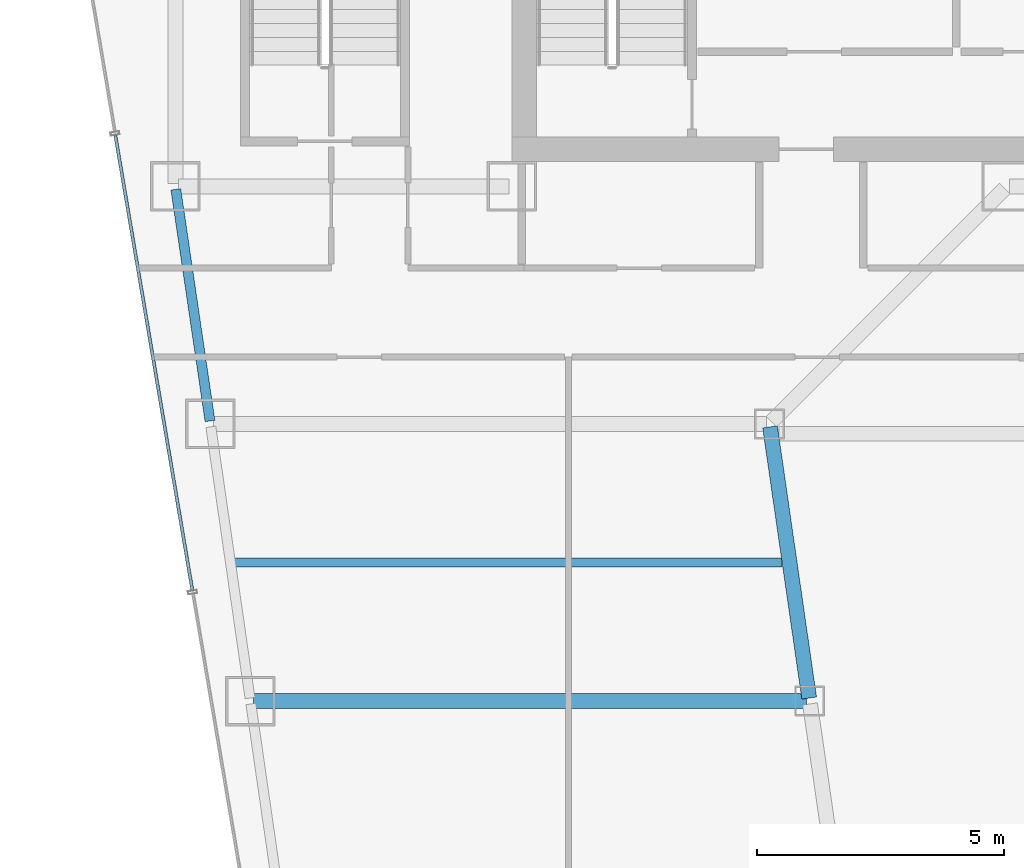
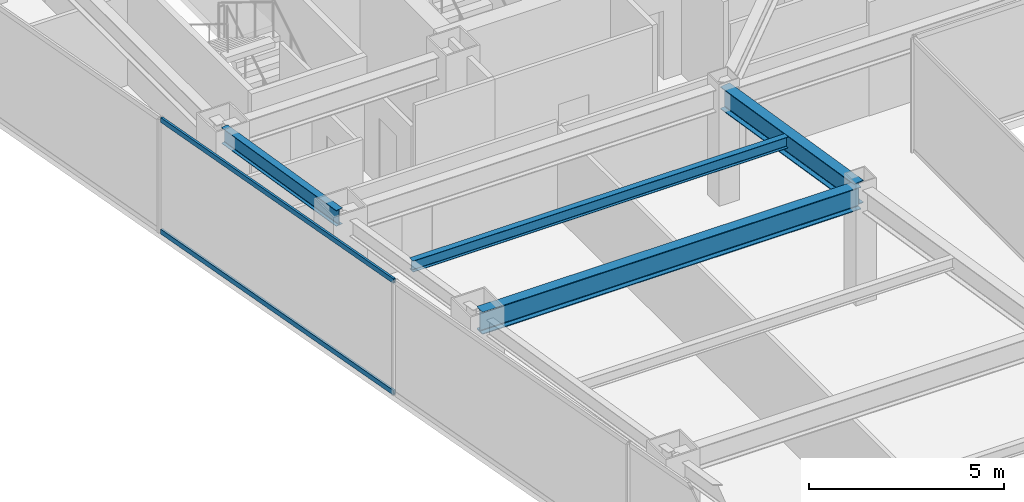
# One storey, part 9 of 35: 4 beams, 2 members, 1 element without a shape of its own.
"""IFC4 building model written with IfcOpenShell, lengths in metres."""

import ifcopenshell
import ifcopenshell.guid

model = None  # the IFC model being written
_history = None  # IfcOwnerHistory: only IFC2X3 demands one
_inside = {}  # id of a spatial element -> (the spatial element, [elements in it])
_under = {}  # id of a project, library or spatial element -> (it, [spatial elements below it])
_declared = {}  # id of a project -> (the project, [libraries it declares])
_typed = {}  # id of a type object -> (the type object, [elements of that type])
_made_of = {}  # id of a material, layer set ... -> (it, [elements and type objects made of it])


def new_model(schema):
    """Start an empty IFC model of exactly this schema.

    Asked for "IFC4X3", IfcOpenShell would pick the latest addendum, in which some entities
    have other attributes; the version numbers below select the first issue.
    IFC2X3 requires an IfcOwnerHistory on every rooted entity: one is made here for all.
    """
    global model, _history
    if schema == "IFC4X3":
        model = ifcopenshell.file(schema_version=(4, 3, 0, 0))
    else:
        model = ifcopenshell.file(schema=schema)
    _inside.clear()
    _under.clear()
    _declared.clear()
    _typed.clear()
    _made_of.clear()
    _history = None
    if model.schema == "IFC2X3":
        org = make("IfcOrganization", Name="unknown")
        user = make(
            "IfcPersonAndOrganization",
            ThePerson=make("IfcPerson", FamilyName="unknown"),
            TheOrganization=org,
        )
        app = make(
            "IfcApplication",
            ApplicationDeveloper=org,
            Version="unknown",
            ApplicationFullName="unknown",
            ApplicationIdentifier="unknown",
        )
        _history = make(
            "IfcOwnerHistory",
            OwningUser=user,
            OwningApplication=app,
            ChangeAction="ADDED",
            CreationDate=0,
        )
    return model


def make(cls, **values):
    """One entity of the class cls with the attributes given. An attribute that is None is left unset."""
    return model.create_entity(
        cls, **{name: value for name, value in values.items() if value is not None}
    )


def rooted(cls, **values):
    """An entity with a GlobalId (a new one), such as an element, a storey or a relation."""
    return make(cls, GlobalId=ifcopenshell.guid.new(), OwnerHistory=_history, **values)


def si_unit(unit_type, name, prefix=None):
    """IfcSIUnit, for example si_unit("LENGTHUNIT", "METRE", prefix="MILLI")."""
    return make("IfcSIUnit", UnitType=unit_type, Prefix=prefix, Name=name)


def assignment(units):
    """IfcUnitAssignment: the units of a project."""
    return None if units is None else make("IfcUnitAssignment", Units=units)


def point(xyz):
    """IfcCartesianPoint."""
    return None if xyz is None else make("IfcCartesianPoint", Coordinates=xyz)


def direction(xyz):
    """IfcDirection."""
    return None if xyz is None else make("IfcDirection", DirectionRatios=xyz)


def frame(location, z_axis=None, x_axis=None):
    """IfcAxis2Placement3D, a coordinate frame: its origin and axes. An axis left out is left unset."""
    return make(
        "IfcAxis2Placement3D",
        Location=point(location),
        Axis=direction(z_axis),
        RefDirection=direction(x_axis),
    )


def frame_2d(location, x_axis=None):
    """IfcAxis2Placement2D, a coordinate frame in the plane: its origin and x axis."""
    return make(
        "IfcAxis2Placement2D", Location=point(location), RefDirection=direction(x_axis)
    )


def origin():
    """The frame at (0, 0, 0) with its axes left unset."""
    return frame((0.0, 0.0, 0.0))


def origin_2d():
    """The frame at (0, 0) in the plane with its x axis left unset."""
    return frame_2d((0.0, 0.0))


def place(relative_to, where):
    """IfcLocalPlacement: puts the frame where relative to a parent placement (None: the world)."""
    return make(
        "IfcLocalPlacement", PlacementRelTo=relative_to, RelativePlacement=where
    )


def context(
    kind, dimensions, precision=None, world=None, true_north=None, identifier=None
):
    """IfcGeometricRepresentationContext, for example the 3D "Model" context."""
    return make(
        "IfcGeometricRepresentationContext",
        ContextIdentifier=identifier,
        ContextType=kind,
        CoordinateSpaceDimension=dimensions,
        Precision=precision,
        WorldCoordinateSystem=world,
        TrueNorth=true_north,
    )


def subcontext(parent, identifier, kind, view, scale=None):
    """IfcGeometricRepresentationSubContext, for example "Body" below "Model"."""
    return make(
        "IfcGeometricRepresentationSubContext",
        ContextIdentifier=identifier,
        ContextType=kind,
        ParentContext=parent,
        TargetScale=scale,
        TargetView=view,
    )


def project(units=None, contexts=None):
    """IfcProject with its units and contexts."""
    return rooted(
        "IfcProject",
        Name="project",
        RepresentationContexts=contexts,
        UnitsInContext=assignment(units),
    )


def spatial(cls, under=None, at=None, **own):
    """A site, building, storey or space (cls), placed at a placement, below another one or the project."""
    s = rooted(cls, ObjectPlacement=at, **own)
    if under is not None:
        _under.setdefault(under.id(), (under, []))[1].append(s)
    return s


def profile(cls, at=None, kind="AREA", **sizes):
    """A parametric profile (cls). Its sizes go by their IFC names, for example OverallWidth=200.0."""
    return make(cls, ProfileType=kind, Position=at, **sizes)


def hollow_rectangle(**sizes):
    """IfcRectangleHollowProfileDef."""
    return profile("IfcRectangleHollowProfileDef", **sizes)


def i_section(**sizes):
    """IfcIShapeProfileDef."""
    return profile("IfcIShapeProfileDef", **sizes)


def extrude(swept, where, along, depth):
    """IfcExtrudedAreaSolid: the profile swept, set in the frame where, extruded along a direction by depth."""
    return make(
        "IfcExtrudedAreaSolid",
        SweptArea=swept,
        Position=where,
        ExtrudedDirection=direction(along),
        Depth=depth,
    )


def shape(context_of_items, identifier, shape_type, items):
    """IfcShapeRepresentation: the items that make up one representation, for example the "Body"."""
    return make(
        "IfcShapeRepresentation",
        ContextOfItems=context_of_items,
        RepresentationIdentifier=identifier,
        RepresentationType=shape_type,
        Items=items,
    )


def material(Name=None, Category=None):
    """IfcMaterial."""
    return make("IfcMaterial", Name=Name, Category=Category)


def material_profile(
    of_material, cross_section, Name=None, Category=None, Priority=None
):
    """IfcMaterialProfile: a cross section and its material."""
    return make(
        "IfcMaterialProfile",
        Name=Name,
        Material=of_material,
        Profile=cross_section,
        Priority=Priority,
        Category=Category,
    )


def profile_set(profiles, Name=None, composite=None):
    """IfcMaterialProfileSet."""
    return make(
        "IfcMaterialProfileSet",
        Name=Name,
        MaterialProfiles=profiles,
        CompositeProfile=composite,
    )


def made_of(thing, what):
    """Note that an element or type object is made of a material, layer set ...; save() writes the relation."""
    if what is not None:
        _made_of.setdefault(what.id(), (what, []))[1].append(thing)
    return thing


def type_object(cls, material=None, **own):
    """A type object (cls), such as IfcWallType, which elements share."""
    return made_of(rooted(cls, **own), material)


def element(
    cls,
    number,
    at=None,
    inside=None,
    cuts=None,
    type_object=None,
    material=None,
    context=None,
    identifier="Body",
    shape_type=None,
    held_by="IfcProductDefinitionShape",
    body=None,
    shapes=None,
    **own,
):
    """One element of the class cls, such as IfcWall. Its Tag is "e" and its number.

    at: its placement. inside: the storey or other place that contains it. cuts: it is an
    opening in that element (IfcRelVoidsElement). A single representation is given by context,
    identifier, shape_type and body (its items); several are given by shapes. held_by: the class
    of the entity that holds the representations. save() writes the other relations.
    """
    e = rooted(cls, Tag="e%d" % number, ObjectPlacement=at, **own)
    if body is not None:
        shapes = [shape(context, identifier, shape_type, body)]
    if shapes is not None:
        e.Representation = make(held_by, Representations=shapes)
    if inside is not None:
        _inside.setdefault(inside.id(), (inside, []))[1].append(e)
    if cuts is not None:
        rooted(
            "IfcRelVoidsElement", RelatingBuildingElement=cuts, RelatedOpeningElement=e
        )
    if type_object is not None:
        _typed.setdefault(type_object.id(), (type_object, []))[1].append(e)
    return made_of(e, material)


def aggregate(whole, parts):
    """IfcRelAggregates: a whole, such as a stair, and the parts it consists of."""
    return rooted("IfcRelAggregates", RelatingObject=whole, RelatedObjects=parts)


def save(model, path):
    """Write the relations noted so far, then the file.

    IfcRelAggregates (storeys below a building ...), IfcRelContainedInSpatialStructure (elements
    in a storey), IfcRelDefinesByType, IfcRelAssociatesMaterial and IfcRelDeclares: one each for
    every whole, place, type object, material and project.
    """
    for whole, parts in _under.values():
        aggregate(whole, parts)
    for where, things in _inside.values():
        rooted(
            "IfcRelContainedInSpatialStructure",
            RelatedElements=things,
            RelatingStructure=where,
        )
    for kind, things in _typed.values():
        rooted("IfcRelDefinesByType", RelatedObjects=things, RelatingType=kind)
    for what, things in _made_of.values():
        rooted("IfcRelAssociatesMaterial", RelatedObjects=things, RelatingMaterial=what)
    for by, libraries in _declared.values():
        rooted("IfcRelDeclares", RelatingContext=by, RelatedDefinitions=libraries)
    model.write(path)


model = new_model("IFC4")

# Units and contexts
model_context = context("Model", 3, precision=1e-05, world=origin(), true_north=direction((0.0, 1.0)))
body_context = subcontext(model_context, "Body", "Model", "MODEL_VIEW")
ifc_project = project(units=[si_unit("LENGTHUNIT", "METRE"), si_unit("AREAUNIT", "SQUARE_METRE"), si_unit("VOLUMEUNIT", "CUBIC_METRE"), si_unit("PLANEANGLEUNIT", "RADIAN"), si_unit("MASSUNIT", "GRAM", prefix="KILO")], contexts=[model_context])

# Site, building, storey
site_placement = place(None, origin())
site = spatial("IfcSite", under=ifc_project, at=site_placement, CompositionType="ELEMENT")
building_placement = place(site_placement, origin())
building = spatial("IfcBuilding", under=site, at=building_placement, Name="Saevonmaru Cultural Tower", CompositionType="ELEMENT")
storey_placement = place(building_placement, frame((0.0, 0.0, 175.199951171875)))
storey = spatial("IfcBuildingStorey", under=building, at=storey_placement, Name="L39", CompositionType="ELEMENT", Elevation=175.199951171875)

# Beams
ifc_material_1 = material(Name="Steel SM355", Category="steel")
ifc_material_profile_1 = material_profile(ifc_material_1, i_section(OverallWidth=0.300048828125, OverallDepth=0.699951171875, WebThickness=0.012939453125, FlangeThickness=0.02392578125, FilletRadius=0.02587890625, at=origin_2d()), Name="H-700x300x13x24")
ifc_profile_set_1 = profile_set([ifc_material_profile_1], Name="Steel SM355")
beam_type_1 = type_object("IfcBeamType", Name="BM-G-H700", PredefinedType="BEAM", material=ifc_profile_set_1)
beam_1_placement = place(storey_placement, frame((19.6083984375, 32.059326171875, 3.199951171875), z_axis=(-0.142964121327, 0.989727871697, 0.0), x_axis=(-0.989727871697, -0.142964121327, 0.0)))
element("IfcBeam", 1, at=beam_1_placement, inside=storey, type_object=beam_type_1, Name="L39 West Atrium Girder 3", PredefinedType="BEAM", context=body_context, shape_type="SweptSolid", body=[
    extrude(i_section(OverallWidth=0.300048828125, OverallDepth=0.699951171875, WebThickness=0.012939453125, FlangeThickness=0.02392578125, FilletRadius=0.02587890625, at=origin_2d()), origin(), (0.0, 0.0, 1.0), 5.5380859375),
])
beam_2_placement = place(storey_placement, frame((8.376953125, 32.0, 3.199951171875), z_axis=(1.0, 0.0, 0.0), x_axis=(0.0, 1.0, 0.0)))
element("IfcBeam", 2, at=beam_2_placement, inside=storey, type_object=beam_type_1, Name="L39 West Wing Transverse Girder 3", PredefinedType="BEAM", context=body_context, shape_type="SweptSolid", body=[
    extrude(i_section(OverallWidth=0.300048828125, OverallDepth=0.699951171875, WebThickness=0.012939453125, FlangeThickness=0.02392578125, FilletRadius=0.02587890625, at=origin_2d()), origin(), (0.0, 0.0, 1.0), 11.179931640625),
])
ifc_material_profile_2 = material_profile(ifc_material_1, i_section(OverallWidth=0.175048828125, OverallDepth=0.35009765625, WebThickness=0.007080078125, FlangeThickness=0.010986328125, FilletRadius=0.012939453125, at=origin_2d()), Name="H-350x175x7x11")
ifc_profile_set_2 = profile_set([ifc_material_profile_2], Name="Steel SM355")
beam_type_2 = type_object("IfcBeamType", Name="BM-J-H350", PredefinedType="JOIST", material=ifc_profile_set_2)
beam_3_placement = place(storey_placement, frame((7.972412109375, 34.800048828125, 3.375), z_axis=(1.0, 0.0, 0.0), x_axis=(0.0, 1.0, 0.0)))
element("IfcBeam", 3, at=beam_3_placement, inside=storey, type_object=beam_type_2, Name="L39 West Wing Floor Joist 3", PredefinedType="JOIST", context=body_context, shape_type="SweptSolid", body=[
    extrude(i_section(OverallWidth=0.175048828125, OverallDepth=0.35009765625, WebThickness=0.007080078125, FlangeThickness=0.010986328125, FilletRadius=0.012939453125, at=origin_2d()), origin(), (0.0, 0.0, 1.0), 11.08203125),
])
ifc_material_profile_3 = material_profile(ifc_material_1, i_section(OverallWidth=0.199951171875, OverallDepth=0.5, WebThickness=0.010009765625, FlangeThickness=0.01611328125, FilletRadius=0.02001953125, at=origin_2d()), Name="H-500x200x10x16")
ifc_profile_set_3 = profile_set([ifc_material_profile_3], Name="Steel SM355")
beam_type_3 = type_object("IfcBeamType", Name="BM-SP-H500", PredefinedType="SPANDREL", material=ifc_profile_set_3)
beam_4_placement = place(storey_placement, frame((7.499267578125, 37.659423828125, 3.300048828125), z_axis=(-0.145912860028, 0.989297446312, 0.0), x_axis=(-0.989297446312, -0.145912860028, 0.0)))
element("IfcBeam", 4, at=beam_4_placement, inside=storey, type_object=beam_type_3, Name="L39 West Splayed Spandrel 4", PredefinedType="SPANDREL", context=body_context, shape_type="SweptSolid", body=[
    extrude(i_section(OverallWidth=0.199951171875, OverallDepth=0.5, WebThickness=0.010009765625, FlangeThickness=0.01611328125, FilletRadius=0.02001953125, at=origin_2d()), origin(), (0.0, 0.0, 1.0), 4.731689453125),
])

# Curtain wall, members
ifc_material_2 = material(Name="Satin Bronze Anodised Aluminium", Category="aluminium")
curtain_wall_type = type_object("IfcCurtainWallType", Name="CW-TYP-B", PredefinedType="NOTDEFINED", material=ifc_material_2)
curtain_wall_placement = place(storey_placement, origin())
curtain_wall = element("IfcCurtainWall", 5, at=curtain_wall_placement, inside=storey, type_object=curtain_wall_type, Name="L39 Unitised Curtain Wall E12", PredefinedType="NOTDEFINED")
ifc_material_profile_4 = material_profile(ifc_material_2, hollow_rectangle(XDim=0.06494140625, YDim=0.14990234375, WallThickness=0.00390625, at=origin_2d()), Name="ALU-TRAN-150x65x4")
ifc_profile_set_4 = profile_set([ifc_material_profile_4], Name="Satin Bronze Anodised Aluminium")
member_type = type_object("IfcMemberType", Name="TR-CW-150x65", PredefinedType="USERDEFINED", material=ifc_profile_set_4)
member_1_placement = place(storey_placement, frame((5.5849609375, 43.4384765625, 0.032470703125), z_axis=(0.166916960754, -0.985970957084, 0.0), x_axis=(0.985970957084, 0.166916960754, 0.0)))
member_1 = element("IfcMember", 6, at=member_1_placement, type_object=member_type, Name="CW-TW-L39-E12 transom 2.1", ObjectType="TRANSOM", PredefinedType="USERDEFINED", context=body_context, shape_type="SweptSolid", body=[
    extrude(hollow_rectangle(XDim=0.06494140625, YDim=0.14990234375, WallThickness=0.00390625, at=origin_2d()), origin(), (0.0, 0.0, 1.0), 9.337646484375),
])
member_2_placement = place(storey_placement, frame((5.5849609375, 43.4384765625, 3.517578125), z_axis=(0.166916960754, -0.985970957084, 0.0), x_axis=(0.985970957084, 0.166916960754, 0.0)))
member_2 = element("IfcMember", 7, at=member_2_placement, type_object=member_type, Name="CW-TW-L39-E12 transom 2.2", ObjectType="TRANSOM", PredefinedType="USERDEFINED", context=body_context, shape_type="SweptSolid", body=[
    extrude(hollow_rectangle(XDim=0.06494140625, YDim=0.14990234375, WallThickness=0.00390625, at=origin_2d()), origin(), (0.0, 0.0, 1.0), 9.337646484375),
])
aggregate(curtain_wall, [member_1, member_2])

save(model, "model.ifc")
